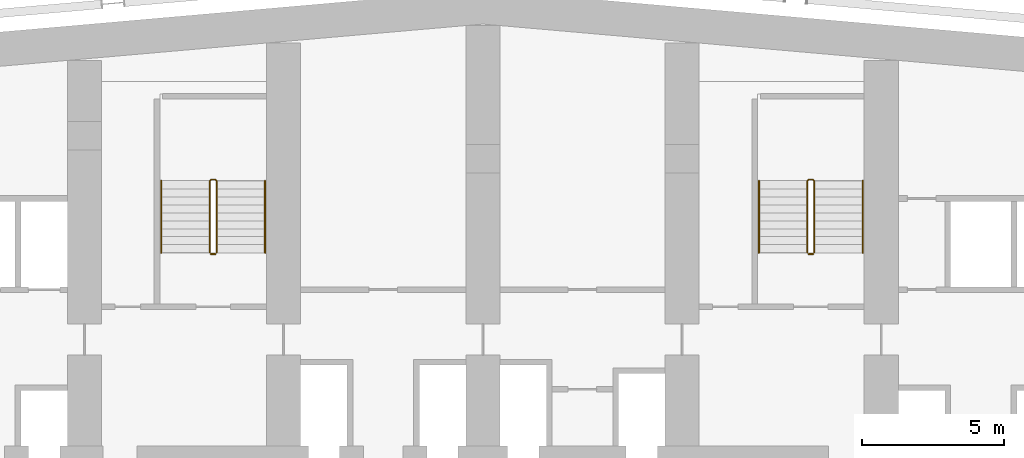
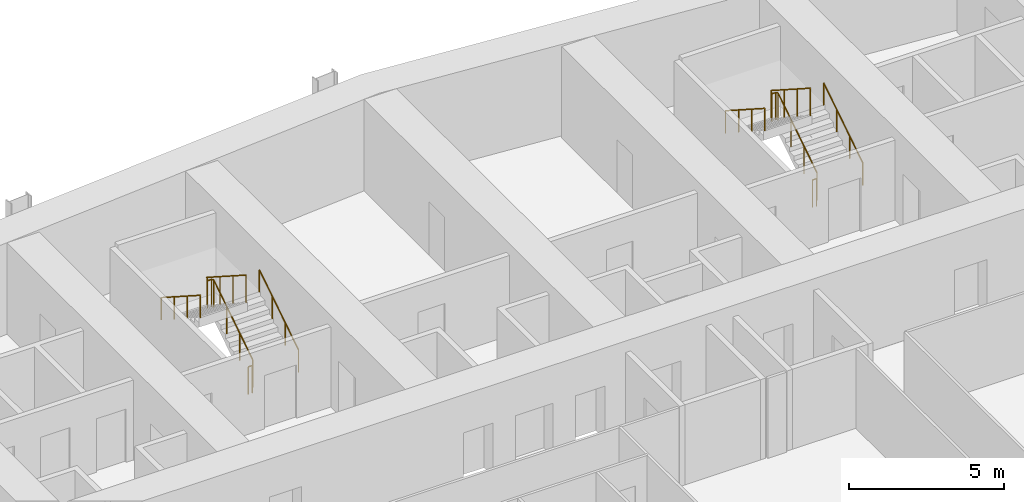
# One storey, part 23 of 24: 8 railings.
"""IFC4 building model written with IfcOpenShell, lengths in metres."""

from ifc_helpers import new_model, si_unit, direction, frame, origin, origin_2d, place, context, subcontext, project, spatial, circle, extrude, material, type_object, element, save


model = new_model("IFC4")

# Units and contexts
model_context = context("Model", 3, precision=1e-05, world=origin(), true_north=direction((0.0, 1.0)))
body_context = subcontext(model_context, "Body", "Model", "MODEL_VIEW")
ifc_project = project(units=[si_unit("LENGTHUNIT", "METRE"), si_unit("AREAUNIT", "SQUARE_METRE"), si_unit("VOLUMEUNIT", "CUBIC_METRE"), si_unit("PLANEANGLEUNIT", "RADIAN"), si_unit("MASSUNIT", "GRAM", prefix="KILO")], contexts=[model_context])

# Site, building, storey
site_placement = place(None, origin())
site = spatial("IfcSite", under=ifc_project, at=site_placement, CompositionType="ELEMENT")
building_placement = place(site_placement, origin())
building = spatial("IfcBuilding", under=site, at=building_placement, Name="Wharfspan Tower", CompositionType="ELEMENT")
storey_placement = place(building_placement, frame((0.0, 0.0, 88.300049)))
storey = spatial("IfcBuildingStorey", under=building, at=storey_placement, Name="L19", CompositionType="ELEMENT", Elevation=88.300049)

# Railings
ifc_material = material(Name="Steel S355J2", Category="steel")
railing_type_1 = type_object("IfcRailingType", Name="Stair guard 1100", PredefinedType="GUARDRAIL", material=ifc_material)
railing_1_placement = place(storey_placement, frame((27.649902, 42.0, 0.179932)))
element("IfcRailing", 1, at=railing_1_placement, inside=storey, type_object=railing_type_1, Name="L19 ST1 stair guard 1", PredefinedType="GUARDRAIL", context=body_context, shape_type="SweptSolid", body=[
    extrude(circle(Radius=0.023926, at=origin_2d()), frame((0.0, 0.0, 1.076172), z_axis=(0.0, 0.841163, 0.540782), x_axis=(-1.0, 0.0, 0.0)), (0.0, 0.0, 1.0), 2.99585),
    extrude(circle(Radius=0.023926, at=origin_2d()), frame((0.0, 2.52002, 2.696289), z_axis=(-0.705376, 0.708834, 0.0), x_axis=(-0.708834, -0.705376, 0.0)), (0.0, 0.0, 1.0), 0.070557),
    extrude(circle(Radius=0.023926, at=origin_2d()), frame((-0.049805, 2.570068, 2.696289), z_axis=(-1.0, 0.0, 0.0), x_axis=(0.0, -1.0, 0.0)), (0.0, 0.0, 1.0), 0.150146),
    extrude(circle(Radius=0.023926, at=origin_2d()), frame((-0.199951, 2.570068, 2.696289), z_axis=(-0.258848, -0.258848, 0.930589), x_axis=(0.707107, -0.707107, 0.0)), (0.0, 0.0, 1.0), 0.193359),
    extrude(circle(Radius=0.023926, at=origin_2d()), frame((-0.25, 2.52002, 2.875977), z_axis=(0.0, -0.8412, 0.540725), x_axis=(1.0, 0.0, 0.0)), (0.0, 0.0, 1.0), 2.99585),
    extrude(circle(Radius=0.020996, at=origin_2d()), origin(), (0.0, 0.0, 1.0), 1.052002),
    extrude(circle(Radius=0.020996, at=origin_2d()), frame((0.0, 0.840088, 0.540039)), (0.0, 0.0, 1.0), 1.052002),
    extrude(circle(Radius=0.020996, at=origin_2d()), frame((0.0, 1.679932, 1.080078)), (0.0, 0.0, 1.0), 1.052002),
    extrude(circle(Radius=0.020996, at=origin_2d()), frame((0.0, 2.52002, 1.620117)), (0.0, 0.0, 1.0), 1.052002),
    extrude(circle(Radius=0.020996, at=origin_2d()), frame((-0.049805, 2.570068, 1.620117)), (0.0, 0.0, 1.0), 1.052002),
    extrude(circle(Radius=0.020996, at=origin_2d()), frame((-0.199951, 2.570068, 1.620117)), (0.0, 0.0, 1.0), 1.052002),
    extrude(circle(Radius=0.020996, at=origin_2d()), frame((-0.25, 2.52002, 1.800049)), (0.0, 0.0, 1.0), 1.052002),
    extrude(circle(Radius=0.020996, at=origin_2d()), frame((-0.25, 1.679932, 2.340088)), (0.0, 0.0, 1.0), 1.052002),
    extrude(circle(Radius=0.020996, at=origin_2d()), frame((-0.25, 0.840088, 2.879883)), (0.0, 0.0, 1.0), 1.052002),
    extrude(circle(Radius=0.020996, at=origin_2d()), frame((-0.25, 0.0, 3.419922)), (0.0, 0.0, 1.0), 1.052002),
])
railing_2_placement = place(storey_placement, frame((27.600098, 41.949951, 0.0)))
element("IfcRailing", 2, at=railing_2_placement, inside=storey, type_object=railing_type_1, Name="L19 ST1 stair guard 2", PredefinedType="GUARDRAIL", context=body_context, shape_type="SweptSolid", body=[
    extrude(circle(Radius=0.023926, at=origin_2d()), frame((0.0, 0.0, 1.076172), z_axis=(-1.0, 0.0, 0.0), x_axis=(0.0, -1.0, 0.0)), (0.0, 0.0, 1.0), 0.150146),
    extrude(circle(Radius=0.020996, at=origin_2d()), origin(), (0.0, 0.0, 1.0), 1.052002),
    extrude(circle(Radius=0.020996, at=origin_2d()), frame((-0.150146, 0.0, 0.0)), (0.0, 0.0, 1.0), 1.052002),
])
railing_3_placement = place(storey_placement, frame((48.649902, 42.0, 0.179932)))
element("IfcRailing", 3, at=railing_3_placement, inside=storey, type_object=railing_type_1, Name="L19 ST2 stair guard 1", PredefinedType="GUARDRAIL", context=body_context, shape_type="SweptSolid", body=[
    extrude(circle(Radius=0.023926, at=origin_2d()), frame((0.0, 0.0, 1.076172), z_axis=(0.0, 0.841163, 0.540782), x_axis=(-1.0, 0.0, 0.0)), (0.0, 0.0, 1.0), 2.99585),
    extrude(circle(Radius=0.023926, at=origin_2d()), frame((0.0, 2.52002, 2.696289), z_axis=(-0.705376, 0.708834, 0.0), x_axis=(-0.708834, -0.705376, 0.0)), (0.0, 0.0, 1.0), 0.070557),
    extrude(circle(Radius=0.023926, at=origin_2d()), frame((-0.049805, 2.570068, 2.696289), z_axis=(-1.0, 0.0, 0.0), x_axis=(0.0, -1.0, 0.0)), (0.0, 0.0, 1.0), 0.150146),
    extrude(circle(Radius=0.023926, at=origin_2d()), frame((-0.199951, 2.570068, 2.696289), z_axis=(-0.258848, -0.258848, 0.930589), x_axis=(0.707107, -0.707107, 0.0)), (0.0, 0.0, 1.0), 0.193359),
    extrude(circle(Radius=0.023926, at=origin_2d()), frame((-0.25, 2.52002, 2.875977), z_axis=(0.0, -0.8412, 0.540725), x_axis=(1.0, 0.0, 0.0)), (0.0, 0.0, 1.0), 2.99585),
    extrude(circle(Radius=0.020996, at=origin_2d()), origin(), (0.0, 0.0, 1.0), 1.052002),
    extrude(circle(Radius=0.020996, at=origin_2d()), frame((0.0, 0.840088, 0.540039)), (0.0, 0.0, 1.0), 1.052002),
    extrude(circle(Radius=0.020996, at=origin_2d()), frame((0.0, 1.679932, 1.080078)), (0.0, 0.0, 1.0), 1.052002),
    extrude(circle(Radius=0.020996, at=origin_2d()), frame((0.0, 2.52002, 1.620117)), (0.0, 0.0, 1.0), 1.052002),
    extrude(circle(Radius=0.020996, at=origin_2d()), frame((-0.049805, 2.570068, 1.620117)), (0.0, 0.0, 1.0), 1.052002),
    extrude(circle(Radius=0.020996, at=origin_2d()), frame((-0.199951, 2.570068, 1.620117)), (0.0, 0.0, 1.0), 1.052002),
    extrude(circle(Radius=0.020996, at=origin_2d()), frame((-0.25, 2.52002, 1.800049)), (0.0, 0.0, 1.0), 1.052002),
    extrude(circle(Radius=0.020996, at=origin_2d()), frame((-0.25, 1.679932, 2.340088)), (0.0, 0.0, 1.0), 1.052002),
    extrude(circle(Radius=0.020996, at=origin_2d()), frame((-0.25, 0.840088, 2.879883)), (0.0, 0.0, 1.0), 1.052002),
    extrude(circle(Radius=0.020996, at=origin_2d()), frame((-0.25, 0.0, 3.419922)), (0.0, 0.0, 1.0), 1.052002),
])
railing_4_placement = place(storey_placement, frame((48.600098, 41.949951, 0.0)))
element("IfcRailing", 4, at=railing_4_placement, inside=storey, type_object=railing_type_1, Name="L19 ST2 stair guard 2", PredefinedType="GUARDRAIL", context=body_context, shape_type="SweptSolid", body=[
    extrude(circle(Radius=0.023926, at=origin_2d()), frame((0.0, 0.0, 1.076172), z_axis=(-1.0, 0.0, 0.0), x_axis=(0.0, -1.0, 0.0)), (0.0, 0.0, 1.0), 0.150146),
    extrude(circle(Radius=0.020996, at=origin_2d()), origin(), (0.0, 0.0, 1.0), 1.052002),
    extrude(circle(Radius=0.020996, at=origin_2d()), frame((-0.150146, 0.0, 0.0)), (0.0, 0.0, 1.0), 1.052002),
])
railing_type_2 = type_object("IfcRailingType", Name="Stair handrail 900", PredefinedType="HANDRAIL", material=ifc_material)
railing_5_placement = place(storey_placement, frame((29.350098, 42.0, 0.179932)))
element("IfcRailing", 5, at=railing_5_placement, inside=storey, type_object=railing_type_2, Name="L19 ST1 stair handrail 1", PredefinedType="HANDRAIL", context=body_context, shape_type="SweptSolid", body=[
    extrude(circle(Radius=0.023926, at=origin_2d()), frame((0.0, 0.0, 0.875977), z_axis=(0.0, 0.841163, 0.540782), x_axis=(-1.0, 0.0, 0.0)), (0.0, 0.0, 1.0), 2.99585),
    extrude(circle(Radius=0.020996, at=origin_2d()), origin(), (0.0, 0.0, 1.0), 0.851807),
    extrude(circle(Radius=0.020996, at=origin_2d()), frame((0.0, 0.840088, 0.540039)), (0.0, 0.0, 1.0), 0.851807),
    extrude(circle(Radius=0.020996, at=origin_2d()), frame((0.0, 1.679932, 1.080078)), (0.0, 0.0, 1.0), 0.851807),
    extrude(circle(Radius=0.020996, at=origin_2d()), frame((0.0, 2.52002, 1.620117)), (0.0, 0.0, 1.0), 0.851807),
])
railing_6_placement = place(storey_placement, frame((25.699951, 44.52002, 1.97998)))
element("IfcRailing", 6, at=railing_6_placement, inside=storey, type_object=railing_type_2, Name="L19 ST1 stair handrail 2", PredefinedType="HANDRAIL", context=body_context, shape_type="SweptSolid", body=[
    extrude(circle(Radius=0.023926, at=origin_2d()), frame((0.0, 0.0, 0.875977), z_axis=(0.0, -0.8412, 0.540725), x_axis=(1.0, 0.0, 0.0)), (0.0, 0.0, 1.0), 2.99585),
    extrude(circle(Radius=0.020996, at=origin_2d()), origin(), (0.0, 0.0, 1.0), 0.851807),
    extrude(circle(Radius=0.020996, at=origin_2d()), frame((0.0, -0.840088, 0.540039)), (0.0, 0.0, 1.0), 0.851807),
    extrude(circle(Radius=0.020996, at=origin_2d()), frame((0.0, -1.679932, 1.079834)), (0.0, 0.0, 1.0), 0.851807),
    extrude(circle(Radius=0.020996, at=origin_2d()), frame((0.0, -2.52002, 1.619873)), (0.0, 0.0, 1.0), 0.851807),
])
railing_7_placement = place(storey_placement, frame((50.350098, 42.0, 0.179932)))
element("IfcRailing", 7, at=railing_7_placement, inside=storey, type_object=railing_type_2, Name="L19 ST2 stair handrail 1", PredefinedType="HANDRAIL", context=body_context, shape_type="SweptSolid", body=[
    extrude(circle(Radius=0.023926, at=origin_2d()), frame((0.0, 0.0, 0.875977), z_axis=(0.0, 0.841163, 0.540782), x_axis=(-1.0, 0.0, 0.0)), (0.0, 0.0, 1.0), 2.99585),
    extrude(circle(Radius=0.020996, at=origin_2d()), origin(), (0.0, 0.0, 1.0), 0.851807),
    extrude(circle(Radius=0.020996, at=origin_2d()), frame((0.0, 0.840088, 0.540039)), (0.0, 0.0, 1.0), 0.851807),
    extrude(circle(Radius=0.020996, at=origin_2d()), frame((0.0, 1.679932, 1.080078)), (0.0, 0.0, 1.0), 0.851807),
    extrude(circle(Radius=0.020996, at=origin_2d()), frame((0.0, 2.52002, 1.620117)), (0.0, 0.0, 1.0), 0.851807),
])
railing_8_placement = place(storey_placement, frame((46.699951, 44.52002, 1.97998)))
element("IfcRailing", 8, at=railing_8_placement, inside=storey, type_object=railing_type_2, Name="L19 ST2 stair handrail 2", PredefinedType="HANDRAIL", context=body_context, shape_type="SweptSolid", body=[
    extrude(circle(Radius=0.023926, at=origin_2d()), frame((0.0, 0.0, 0.875977), z_axis=(0.0, -0.8412, 0.540725), x_axis=(1.0, 0.0, 0.0)), (0.0, 0.0, 1.0), 2.99585),
    extrude(circle(Radius=0.020996, at=origin_2d()), origin(), (0.0, 0.0, 1.0), 0.851807),
    extrude(circle(Radius=0.020996, at=origin_2d()), frame((0.0, -0.840088, 0.540039)), (0.0, 0.0, 1.0), 0.851807),
    extrude(circle(Radius=0.020996, at=origin_2d()), frame((0.0, -1.679932, 1.079834)), (0.0, 0.0, 1.0), 0.851807),
    extrude(circle(Radius=0.020996, at=origin_2d()), frame((0.0, -2.52002, 1.619873)), (0.0, 0.0, 1.0), 0.851807),
])

save(model, "model.ifc")
